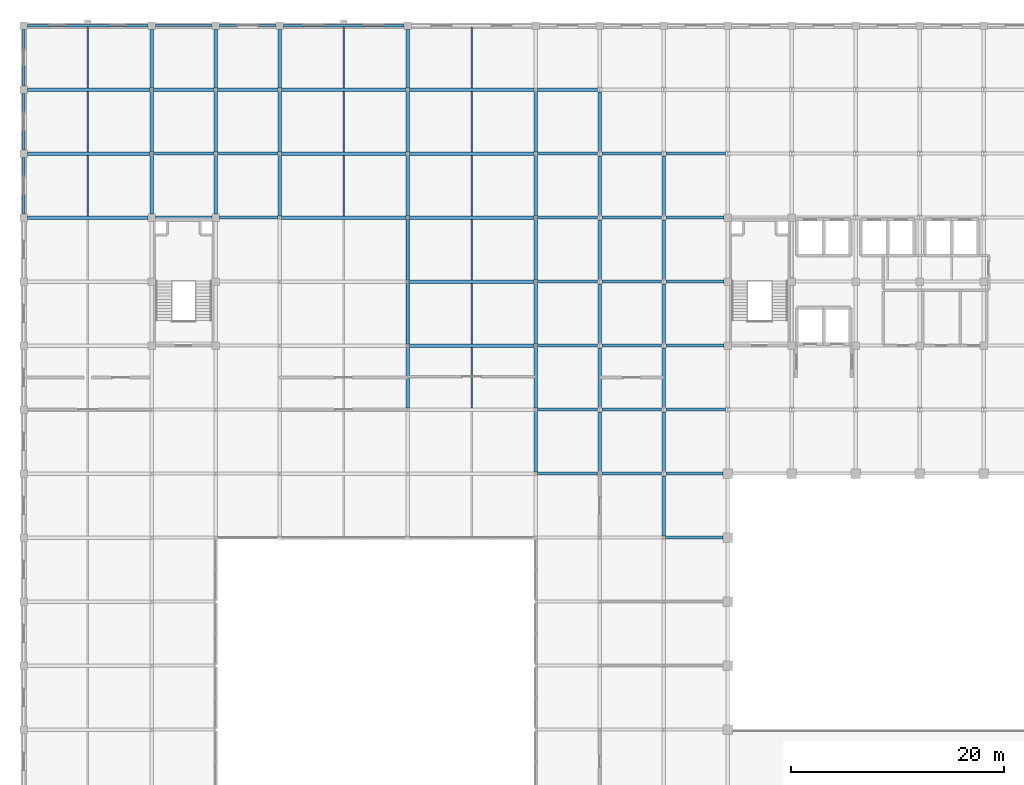
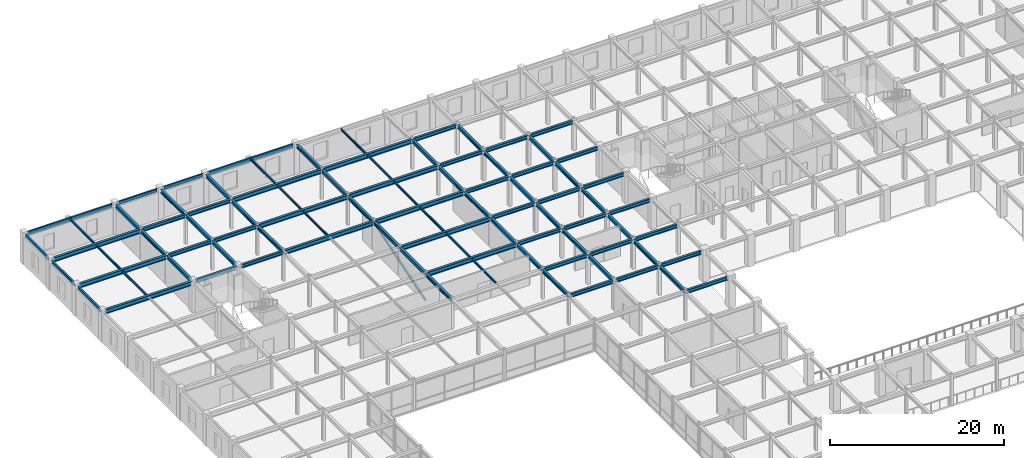
# One storey, part 74 of 108: 89 beams, 1 member.
"""IFC4 building model written with IfcOpenShell, lengths in metres."""

from ifc_helpers import new_model, si_unit, direction, frame, origin, origin_2d, place, context, subcontext, project, spatial, hollow_rectangle, i_section, extrude, material, material_profile, profile_set, type_object, element, save


model = new_model("IFC4")

# Units and contexts
model_context = context("Model", 3, precision=1e-05, world=origin(), true_north=direction((0.0, 1.0)))
body_context = subcontext(model_context, "Body", "Model", "MODEL_VIEW")
ifc_project = project(units=[si_unit("LENGTHUNIT", "METRE"), si_unit("AREAUNIT", "SQUARE_METRE"), si_unit("VOLUMEUNIT", "CUBIC_METRE"), si_unit("PLANEANGLEUNIT", "RADIAN"), si_unit("MASSUNIT", "GRAM", prefix="KILO")], contexts=[model_context])

# Site, building, storey
site_placement = place(None, origin())
site = spatial("IfcSite", under=ifc_project, at=site_placement, CompositionType="ELEMENT")
building_placement = place(site_placement, origin())
building = spatial("IfcBuilding", under=site, at=building_placement, Name="Zlatovratsky Civic Hall", CompositionType="ELEMENT")
storey_placement = place(building_placement, frame((0.0, 0.0, 12.0)))
storey = spatial("IfcBuildingStorey", under=building, at=storey_placement, Name="L03", CompositionType="ELEMENT", Elevation=12.0)

# Beams
ifc_material = material(Name="Steel S355", Category="steel")
ifc_material_profile_1 = material_profile(ifc_material, i_section(OverallWidth=0.300048828125, OverallDepth=0.48193359375, WebThickness=0.010986328125, FlangeThickness=0.014892578125, FilletRadius=0.02392578125, at=origin_2d()), Name="50Sh1")
ifc_profile_set_1 = profile_set([ifc_material_profile_1], Name="Steel S355")
beam_type_1 = type_object("IfcBeamType", Name="Beam_LibraryGirder_50Sh1", PredefinedType="BEAM", material=ifc_profile_set_1)
beam_1_placement = place(storey_placement, frame((60.1494140625, 66.0, 3.97900390625), z_axis=(1.0, 0.0, 0.0), x_axis=(0.0, 1.0, 0.0)))
element("IfcBeam", 1, at=beam_1_placement, inside=storey, type_object=beam_type_1, Name="BM-2612", PredefinedType="BEAM", context=body_context, shape_type="SweptSolid", body=[
    extrude(i_section(OverallWidth=0.300048828125, OverallDepth=0.48193359375, WebThickness=0.010986328125, FlangeThickness=0.014892578125, FilletRadius=0.02392578125, at=origin_2d()), origin(), (0.0, 0.0, 1.0), 5.400634765625),
])
beam_2_placement = place(storey_placement, frame((48.1494140625, 72.0, 3.97900390625), z_axis=(1.0, 0.0, 0.0), x_axis=(0.0, 1.0, 0.0)))
element("IfcBeam", 2, at=beam_2_placement, inside=storey, type_object=beam_type_1, Name="BM-2626", PredefinedType="BEAM", context=body_context, shape_type="SweptSolid", body=[
    extrude(i_section(OverallWidth=0.300048828125, OverallDepth=0.48193359375, WebThickness=0.010986328125, FlangeThickness=0.014892578125, FilletRadius=0.02392578125, at=origin_2d()), origin(), (0.0, 0.0, 1.0), 5.648193359375),
])
beam_3_placement = place(storey_placement, frame((54.202392578125, 72.0, 3.97900390625), z_axis=(1.0, 0.0, 0.0), x_axis=(0.0, 1.0, 0.0)))
element("IfcBeam", 3, at=beam_3_placement, inside=storey, type_object=beam_type_1, Name="BM-2627", PredefinedType="BEAM", context=body_context, shape_type="SweptSolid", body=[
    extrude(i_section(OverallWidth=0.300048828125, OverallDepth=0.48193359375, WebThickness=0.010986328125, FlangeThickness=0.014892578125, FilletRadius=0.02392578125, at=origin_2d()), origin(), (0.0, 0.0, 1.0), 5.59521484375),
])
beam_4_placement = place(storey_placement, frame((60.202392578125, 72.0, 3.97900390625), z_axis=(1.0, 0.0, 0.0), x_axis=(0.0, 1.0, 0.0)))
element("IfcBeam", 4, at=beam_4_placement, inside=storey, type_object=beam_type_1, Name="BM-2628", PredefinedType="BEAM", context=body_context, shape_type="SweptSolid", body=[
    extrude(i_section(OverallWidth=0.300048828125, OverallDepth=0.48193359375, WebThickness=0.010986328125, FlangeThickness=0.014892578125, FilletRadius=0.02392578125, at=origin_2d()), origin(), (0.0, 0.0, 1.0), 5.34765625),
])
beam_5_placement = place(storey_placement, frame((48.1494140625, 78.0, 3.97900390625), z_axis=(1.0, 0.0, 0.0), x_axis=(0.0, 1.0, 0.0)))
element("IfcBeam", 5, at=beam_5_placement, inside=storey, type_object=beam_type_1, Name="BM-2648", PredefinedType="BEAM", context=body_context, shape_type="SweptSolid", body=[
    extrude(i_section(OverallWidth=0.300048828125, OverallDepth=0.48193359375, WebThickness=0.010986328125, FlangeThickness=0.014892578125, FilletRadius=0.02392578125, at=origin_2d()), origin(), (0.0, 0.0, 1.0), 5.648193359375),
])
for number, where, z_axis, x_axis, name in (
    (6, (54.202392578125, 78.0, 3.97900390625), (1.0, 0.0, 0.0), (0.0, 1.0, 0.0), "BM-2649"),
    (7, (60.202392578125, 78.0, 3.97900390625), (1.0, 0.0, 0.0), (0.0, 1.0, 0.0), "BM-2650"),
):
    element("IfcBeam", number, at=place(storey_placement, frame(where, z_axis=z_axis, x_axis=x_axis)), inside=storey, type_object=beam_type_1, Name=name, PredefinedType="BEAM", context=body_context, shape_type="SweptSolid", body=[
        extrude(i_section(OverallWidth=0.300048828125, OverallDepth=0.48193359375, WebThickness=0.010986328125, FlangeThickness=0.014892578125, FilletRadius=0.02392578125, at=origin_2d()), origin(), (0.0, 0.0, 1.0), 5.59521484375),
    ])
beam_6_placement = place(storey_placement, frame((48.1494140625, 84.0, 3.97900390625), z_axis=(1.0, 0.0, 0.0), x_axis=(0.0, 1.0, 0.0)))
element("IfcBeam", 8, at=beam_6_placement, inside=storey, type_object=beam_type_1, Name="BM-2670", PredefinedType="BEAM", context=body_context, shape_type="SweptSolid", body=[
    extrude(i_section(OverallWidth=0.300048828125, OverallDepth=0.48193359375, WebThickness=0.010986328125, FlangeThickness=0.014892578125, FilletRadius=0.02392578125, at=origin_2d()), origin(), (0.0, 0.0, 1.0), 5.648193359375),
])
beam_7_placement = place(storey_placement, frame((54.202392578125, 84.0, 3.97900390625), z_axis=(1.0, 0.0, 0.0), x_axis=(0.0, 1.0, 0.0)))
element("IfcBeam", 9, at=beam_7_placement, inside=storey, type_object=beam_type_1, Name="BM-2671", PredefinedType="BEAM", context=body_context, shape_type="SweptSolid", body=[
    extrude(i_section(OverallWidth=0.300048828125, OverallDepth=0.48193359375, WebThickness=0.010986328125, FlangeThickness=0.014892578125, FilletRadius=0.02392578125, at=origin_2d()), origin(), (0.0, 0.0, 1.0), 5.59521484375),
])
beam_8_placement = place(storey_placement, frame((60.202392578125, 84.0, 3.97900390625), z_axis=(1.0, 0.0, 0.0), x_axis=(0.0, 1.0, 0.0)))
element("IfcBeam", 10, at=beam_8_placement, inside=storey, type_object=beam_type_1, Name="BM-2672", PredefinedType="BEAM", context=body_context, shape_type="SweptSolid", body=[
    extrude(i_section(OverallWidth=0.300048828125, OverallDepth=0.48193359375, WebThickness=0.010986328125, FlangeThickness=0.014892578125, FilletRadius=0.02392578125, at=origin_2d()), origin(), (0.0, 0.0, 1.0), 5.447509765625),
])
beam_9_placement = place(storey_placement, frame((48.1494140625, 90.0, 3.97900390625), z_axis=(1.0, 0.0, 0.0), x_axis=(0.0, 1.0, 0.0)))
element("IfcBeam", 11, at=beam_9_placement, inside=storey, type_object=beam_type_1, Name="BM-2691", PredefinedType="BEAM", context=body_context, shape_type="SweptSolid", body=[
    extrude(i_section(OverallWidth=0.300048828125, OverallDepth=0.48193359375, WebThickness=0.010986328125, FlangeThickness=0.014892578125, FilletRadius=0.02392578125, at=origin_2d()), origin(), (0.0, 0.0, 1.0), 5.648193359375),
])
beam_10_placement = place(storey_placement, frame((54.202392578125, 90.0, 3.97900390625), z_axis=(1.0, 0.0, 0.0), x_axis=(0.0, 1.0, 0.0)))
element("IfcBeam", 12, at=beam_10_placement, inside=storey, type_object=beam_type_1, Name="BM-2692", PredefinedType="BEAM", context=body_context, shape_type="SweptSolid", body=[
    extrude(i_section(OverallWidth=0.300048828125, OverallDepth=0.48193359375, WebThickness=0.010986328125, FlangeThickness=0.014892578125, FilletRadius=0.02392578125, at=origin_2d()), origin(), (0.0, 0.0, 1.0), 5.59521484375),
])
beam_11_placement = place(storey_placement, frame((60.202392578125, 90.0, 3.97900390625), z_axis=(1.0, 0.0, 0.0), x_axis=(0.0, 1.0, 0.0)))
element("IfcBeam", 13, at=beam_11_placement, inside=storey, type_object=beam_type_1, Name="BM-2693", PredefinedType="BEAM", context=body_context, shape_type="SweptSolid", body=[
    extrude(i_section(OverallWidth=0.300048828125, OverallDepth=0.48193359375, WebThickness=0.010986328125, FlangeThickness=0.014892578125, FilletRadius=0.02392578125, at=origin_2d()), origin(), (0.0, 0.0, 1.0), 5.447509765625),
])
beam_12_placement = place(storey_placement, frame((12.35009765625, 96.0, 3.97900390625), z_axis=(1.0, 0.0, 0.0), x_axis=(0.0, 1.0, 0.0)))
element("IfcBeam", 14, at=beam_12_placement, inside=storey, type_object=beam_type_1, Name="BM-2706", PredefinedType="BEAM", context=body_context, shape_type="SweptSolid", body=[
    extrude(i_section(OverallWidth=0.300048828125, OverallDepth=0.48193359375, WebThickness=0.010986328125, FlangeThickness=0.014892578125, FilletRadius=0.02392578125, at=origin_2d()), origin(), (0.0, 0.0, 1.0), 5.2998046875),
])
beam_13_placement = place(storey_placement, frame((18.35009765625, 96.0, 3.97900390625), z_axis=(1.0, 0.0, 0.0), x_axis=(0.0, 1.0, 0.0)))
element("IfcBeam", 15, at=beam_13_placement, inside=storey, type_object=beam_type_1, Name="BM-2707", PredefinedType="BEAM", context=body_context, shape_type="SweptSolid", body=[
    extrude(i_section(OverallWidth=0.300048828125, OverallDepth=0.48193359375, WebThickness=0.010986328125, FlangeThickness=0.014892578125, FilletRadius=0.02392578125, at=origin_2d()), origin(), (0.0, 0.0, 1.0), 5.50048828125),
])
beam_14_placement = place(storey_placement, frame((48.1494140625, 96.0, 3.97900390625), z_axis=(1.0, 0.0, 0.0), x_axis=(0.0, 1.0, 0.0)))
element("IfcBeam", 16, at=beam_14_placement, inside=storey, type_object=beam_type_1, Name="BM-2710", PredefinedType="BEAM", context=body_context, shape_type="SweptSolid", body=[
    extrude(i_section(OverallWidth=0.300048828125, OverallDepth=0.48193359375, WebThickness=0.010986328125, FlangeThickness=0.014892578125, FilletRadius=0.02392578125, at=origin_2d()), origin(), (0.0, 0.0, 1.0), 5.648193359375),
])
beam_15_placement = place(storey_placement, frame((54.202392578125, 96.0, 3.97900390625), z_axis=(1.0, 0.0, 0.0), x_axis=(0.0, 1.0, 0.0)))
element("IfcBeam", 17, at=beam_15_placement, inside=storey, type_object=beam_type_1, Name="BM-2711", PredefinedType="BEAM", context=body_context, shape_type="SweptSolid", body=[
    extrude(i_section(OverallWidth=0.300048828125, OverallDepth=0.48193359375, WebThickness=0.010986328125, FlangeThickness=0.014892578125, FilletRadius=0.02392578125, at=origin_2d()), origin(), (0.0, 0.0, 1.0), 5.59521484375),
])
beam_16_placement = place(storey_placement, frame((60.202392578125, 96.0, 3.97900390625), z_axis=(1.0, 0.0, 0.0), x_axis=(0.0, 1.0, 0.0)))
element("IfcBeam", 18, at=beam_16_placement, inside=storey, type_object=beam_type_1, Name="BM-2712", PredefinedType="BEAM", context=body_context, shape_type="SweptSolid", body=[
    extrude(i_section(OverallWidth=0.300048828125, OverallDepth=0.48193359375, WebThickness=0.010986328125, FlangeThickness=0.014892578125, FilletRadius=0.02392578125, at=origin_2d()), origin(), (0.0, 0.0, 1.0), 5.447509765625),
])
for number, where, z_axis, x_axis, name in (
    (19, (12.1494140625, 102.0, 3.97900390625), (1.0, 0.0, 0.0), (0.0, 1.0, 0.0), "BM-2728"),
    (20, (18.1494140625, 102.0, 3.97900390625), (1.0, 0.0, 0.0), (0.0, 1.0, 0.0), "BM-2729"),
):
    element("IfcBeam", number, at=place(storey_placement, frame(where, z_axis=z_axis, x_axis=x_axis)), inside=storey, type_object=beam_type_1, Name=name, PredefinedType="BEAM", context=body_context, shape_type="SweptSolid", body=[
        extrude(i_section(OverallWidth=0.300048828125, OverallDepth=0.48193359375, WebThickness=0.010986328125, FlangeThickness=0.014892578125, FilletRadius=0.02392578125, at=origin_2d()), origin(), (0.0, 0.0, 1.0), 5.701171875),
    ])
beam_17_placement = place(storey_placement, frame((48.1494140625, 102.0, 3.97900390625), z_axis=(1.0, 0.0, 0.0), x_axis=(0.0, 1.0, 0.0)))
element("IfcBeam", 21, at=beam_17_placement, inside=storey, type_object=beam_type_1, Name="BM-2732", PredefinedType="BEAM", context=body_context, shape_type="SweptSolid", body=[
    extrude(i_section(OverallWidth=0.300048828125, OverallDepth=0.48193359375, WebThickness=0.010986328125, FlangeThickness=0.014892578125, FilletRadius=0.02392578125, at=origin_2d()), origin(), (0.0, 0.0, 1.0), 5.648193359375),
])
for number, where, z_axis, x_axis, name in (
    (22, (54.202392578125, 102.0, 3.97900390625), (1.0, 0.0, 0.0), (0.0, 1.0, 0.0), "BM-2733"),
    (23, (60.202392578125, 102.0, 3.97900390625), (1.0, 0.0, 0.0), (0.0, 1.0, 0.0), "BM-2734"),
):
    element("IfcBeam", number, at=place(storey_placement, frame(where, z_axis=z_axis, x_axis=x_axis)), inside=storey, type_object=beam_type_1, Name=name, PredefinedType="BEAM", context=body_context, shape_type="SweptSolid", body=[
        extrude(i_section(OverallWidth=0.300048828125, OverallDepth=0.48193359375, WebThickness=0.010986328125, FlangeThickness=0.014892578125, FilletRadius=0.02392578125, at=origin_2d()), origin(), (0.0, 0.0, 1.0), 5.59521484375),
    ])
for number, where, z_axis, x_axis, name in (
    (24, (12.1494140625, 108.0, 3.97900390625), (1.0, 0.0, 0.0), (0.0, 1.0, 0.0), "BM-2750"),
    (25, (18.1494140625, 108.0, 3.97900390625), (1.0, 0.0, 0.0), (0.0, 1.0, 0.0), "BM-2751"),
):
    element("IfcBeam", number, at=place(storey_placement, frame(where, z_axis=z_axis, x_axis=x_axis)), inside=storey, type_object=beam_type_1, Name=name, PredefinedType="BEAM", context=body_context, shape_type="SweptSolid", body=[
        extrude(i_section(OverallWidth=0.300048828125, OverallDepth=0.48193359375, WebThickness=0.010986328125, FlangeThickness=0.014892578125, FilletRadius=0.02392578125, at=origin_2d()), origin(), (0.0, 0.0, 1.0), 5.701171875),
    ])
beam_18_placement = place(storey_placement, frame((48.1494140625, 108.0, 3.97900390625), z_axis=(1.0, 0.0, 0.0), x_axis=(0.0, 1.0, 0.0)))
element("IfcBeam", 26, at=beam_18_placement, inside=storey, type_object=beam_type_1, Name="BM-2754", PredefinedType="BEAM", context=body_context, shape_type="SweptSolid", body=[
    extrude(i_section(OverallWidth=0.300048828125, OverallDepth=0.48193359375, WebThickness=0.010986328125, FlangeThickness=0.014892578125, FilletRadius=0.02392578125, at=origin_2d()), origin(), (0.0, 0.0, 1.0), 5.648193359375),
])
beam_19_placement = place(storey_placement, frame((12.0, 96.35009765625, 3.97900390625), z_axis=(0.0, 1.0, 0.0), x_axis=(-1.0, 0.0, 0.0)))
element("IfcBeam", 27, at=beam_19_placement, inside=storey, type_object=beam_type_1, Name="BM-2824", PredefinedType="BEAM", context=body_context, shape_type="SweptSolid", body=[
    extrude(i_section(OverallWidth=0.300048828125, OverallDepth=0.48193359375, WebThickness=0.010986328125, FlangeThickness=0.014892578125, FilletRadius=0.02392578125, at=origin_2d()), origin(), (0.0, 0.0, 1.0), 5.501953125),
])
beam_20_placement = place(storey_placement, frame((12.0, 102.14794921875, 3.97900390625), z_axis=(0.0, 1.0, 0.0), x_axis=(-1.0, 0.0, 0.0)))
element("IfcBeam", 28, at=beam_20_placement, inside=storey, type_object=beam_type_1, Name="BM-2825", PredefinedType="BEAM", context=body_context, shape_type="SweptSolid", body=[
    extrude(i_section(OverallWidth=0.300048828125, OverallDepth=0.48193359375, WebThickness=0.010986328125, FlangeThickness=0.014892578125, FilletRadius=0.02392578125, at=origin_2d()), origin(), (0.0, 0.0, 1.0), 5.7041015625),
])
for number, where, z_axis, x_axis, name in (
    (29, (12.0, 108.14794921875, 3.97900390625), (0.0, 1.0, 0.0), (-1.0, 0.0, 0.0), "BM-2826"),
    (30, (18.0, 96.35009765625, 3.97900390625), (0.0, 1.0, 0.0), (-1.0, 0.0, 0.0), "BM-2841"),
):
    element("IfcBeam", number, at=place(storey_placement, frame(where, z_axis=z_axis, x_axis=x_axis)), inside=storey, type_object=beam_type_1, Name=name, PredefinedType="BEAM", context=body_context, shape_type="SweptSolid", body=[
        extrude(i_section(OverallWidth=0.300048828125, OverallDepth=0.48193359375, WebThickness=0.010986328125, FlangeThickness=0.014892578125, FilletRadius=0.02392578125, at=origin_2d()), origin(), (0.0, 0.0, 1.0), 5.501953125),
    ])
beam_21_placement = place(storey_placement, frame((18.0, 102.14794921875, 3.97900390625), z_axis=(0.0, 1.0, 0.0), x_axis=(-1.0, 0.0, 0.0)))
element("IfcBeam", 31, at=beam_21_placement, inside=storey, type_object=beam_type_1, Name="BM-2842", PredefinedType="BEAM", context=body_context, shape_type="SweptSolid", body=[
    extrude(i_section(OverallWidth=0.300048828125, OverallDepth=0.48193359375, WebThickness=0.010986328125, FlangeThickness=0.014892578125, FilletRadius=0.02392578125, at=origin_2d()), origin(), (0.0, 0.0, 1.0), 5.7041015625),
])
beam_22_placement = place(storey_placement, frame((18.0, 108.14794921875, 3.97900390625), z_axis=(0.0, 1.0, 0.0), x_axis=(-1.0, 0.0, 0.0)))
element("IfcBeam", 32, at=beam_22_placement, inside=storey, type_object=beam_type_1, Name="BM-2843", PredefinedType="BEAM", context=body_context, shape_type="SweptSolid", body=[
    extrude(i_section(OverallWidth=0.300048828125, OverallDepth=0.48193359375, WebThickness=0.010986328125, FlangeThickness=0.014892578125, FilletRadius=0.02392578125, at=origin_2d()), origin(), (0.0, 0.0, 1.0), 5.501953125),
])
for number, where, z_axis, x_axis, name in (
    (33, (24.0, 96.14794921875, 3.97900390625), (0.0, 1.0, 0.0), (-1.0, 0.0, 0.0), "BM-2852"),
    (34, (24.0, 102.14794921875, 3.97900390625), (0.0, 1.0, 0.0), (-1.0, 0.0, 0.0), "BM-2853"),
):
    element("IfcBeam", number, at=place(storey_placement, frame(where, z_axis=z_axis, x_axis=x_axis)), inside=storey, type_object=beam_type_1, Name=name, PredefinedType="BEAM", context=body_context, shape_type="SweptSolid", body=[
        extrude(i_section(OverallWidth=0.300048828125, OverallDepth=0.48193359375, WebThickness=0.010986328125, FlangeThickness=0.014892578125, FilletRadius=0.02392578125, at=origin_2d()), origin(), (0.0, 0.0, 1.0), 5.7041015625),
    ])
beam_23_placement = place(storey_placement, frame((24.0, 108.14794921875, 3.97900390625), z_axis=(0.0, 1.0, 0.0), x_axis=(-1.0, 0.0, 0.0)))
element("IfcBeam", 35, at=beam_23_placement, inside=storey, type_object=beam_type_1, Name="BM-2854", PredefinedType="BEAM", context=body_context, shape_type="SweptSolid", body=[
    extrude(i_section(OverallWidth=0.300048828125, OverallDepth=0.48193359375, WebThickness=0.010986328125, FlangeThickness=0.014892578125, FilletRadius=0.02392578125, at=origin_2d()), origin(), (0.0, 0.0, 1.0), 5.501953125),
])
for number, where, z_axis, x_axis, name in (
    (36, (36.0, 78.14794921875, 3.97900390625), (0.0, 1.0, 0.0), (-1.0, 0.0, 0.0), "BM-2860"),
    (37, (36.0, 84.14794921875, 3.97900390625), (0.0, 1.0, 0.0), (-1.0, 0.0, 0.0), "BM-2861"),
    (38, (36.0, 90.14794921875, 3.97900390625), (0.0, 1.0, 0.0), (-1.0, 0.0, 0.0), "BM-2862"),
    (39, (36.0, 96.14794921875, 3.97900390625), (0.0, 1.0, 0.0), (-1.0, 0.0, 0.0), "BM-2863"),
    (40, (36.0, 102.14794921875, 3.97900390625), (0.0, 1.0, 0.0), (-1.0, 0.0, 0.0), "BM-2864"),
):
    element("IfcBeam", number, at=place(storey_placement, frame(where, z_axis=z_axis, x_axis=x_axis)), inside=storey, type_object=beam_type_1, Name=name, PredefinedType="BEAM", context=body_context, shape_type="SweptSolid", body=[
        extrude(i_section(OverallWidth=0.300048828125, OverallDepth=0.48193359375, WebThickness=0.010986328125, FlangeThickness=0.014892578125, FilletRadius=0.02392578125, at=origin_2d()), origin(), (0.0, 0.0, 1.0), 5.7041015625),
    ])
beam_24_placement = place(storey_placement, frame((36.0, 108.14794921875, 3.97900390625), z_axis=(0.0, 1.0, 0.0), x_axis=(-1.0, 0.0, 0.0)))
element("IfcBeam", 41, at=beam_24_placement, inside=storey, type_object=beam_type_1, Name="BM-2865", PredefinedType="BEAM", context=body_context, shape_type="SweptSolid", body=[
    extrude(i_section(OverallWidth=0.300048828125, OverallDepth=0.48193359375, WebThickness=0.010986328125, FlangeThickness=0.014892578125, FilletRadius=0.02392578125, at=origin_2d()), origin(), (0.0, 0.0, 1.0), 5.501953125),
])
for number, where, z_axis, x_axis, name in (
    (42, (48.0, 72.14794921875, 3.97900390625), (0.0, 1.0, 0.0), (-1.0, 0.0, 0.0), "BM-2876"),
    (43, (48.0, 78.14794921875, 3.97900390625), (0.0, 1.0, 0.0), (-1.0, 0.0, 0.0), "BM-2877"),
    (44, (48.0, 84.14794921875, 3.97900390625), (0.0, 1.0, 0.0), (-1.0, 0.0, 0.0), "BM-2878"),
    (45, (48.0, 90.14794921875, 3.97900390625), (0.0, 1.0, 0.0), (-1.0, 0.0, 0.0), "BM-2879"),
    (46, (48.0, 96.14794921875, 3.97900390625), (0.0, 1.0, 0.0), (-1.0, 0.0, 0.0), "BM-2880"),
    (47, (48.0, 102.14794921875, 3.97900390625), (0.0, 1.0, 0.0), (-1.0, 0.0, 0.0), "BM-2881"),
):
    element("IfcBeam", number, at=place(storey_placement, frame(where, z_axis=z_axis, x_axis=x_axis)), inside=storey, type_object=beam_type_1, Name=name, PredefinedType="BEAM", context=body_context, shape_type="SweptSolid", body=[
        extrude(i_section(OverallWidth=0.300048828125, OverallDepth=0.48193359375, WebThickness=0.010986328125, FlangeThickness=0.014892578125, FilletRadius=0.02392578125, at=origin_2d()), origin(), (0.0, 0.0, 1.0), 5.7041015625),
    ])
for number, where, z_axis, x_axis, name in (
    (48, (54.0, 72.208984375, 3.97900390625), (0.0, 1.0, 0.0), (-1.0, 0.0, 0.0), "BM-2893"),
    (49, (54.0, 78.208984375, 3.97900390625), (0.0, 1.0, 0.0), (-1.0, 0.0, 0.0), "BM-2894"),
    (50, (54.0, 84.208984375, 3.97900390625), (0.0, 1.0, 0.0), (-1.0, 0.0, 0.0), "BM-2895"),
    (51, (54.0, 90.208984375, 3.97900390625), (0.0, 1.0, 0.0), (-1.0, 0.0, 0.0), "BM-2896"),
    (52, (54.0, 96.208984375, 3.97900390625), (0.0, 1.0, 0.0), (-1.0, 0.0, 0.0), "BM-2897"),
    (53, (54.0, 102.208984375, 3.97900390625), (0.0, 1.0, 0.0), (-1.0, 0.0, 0.0), "BM-2898"),
):
    element("IfcBeam", number, at=place(storey_placement, frame(where, z_axis=z_axis, x_axis=x_axis)), inside=storey, type_object=beam_type_1, Name=name, PredefinedType="BEAM", context=body_context, shape_type="SweptSolid", body=[
        extrude(i_section(OverallWidth=0.300048828125, OverallDepth=0.48193359375, WebThickness=0.010986328125, FlangeThickness=0.014892578125, FilletRadius=0.02392578125, at=origin_2d()), origin(), (0.0, 0.0, 1.0), 5.58203125),
    ])
beam_25_placement = place(storey_placement, frame((60.0, 66.14794921875, 3.97900390625), z_axis=(0.0, 1.0, 0.0), x_axis=(-1.0, 0.0, 0.0)))
element("IfcBeam", 54, at=beam_25_placement, inside=storey, type_object=beam_type_1, Name="BM-2908", PredefinedType="BEAM", context=body_context, shape_type="SweptSolid", body=[
    extrude(i_section(OverallWidth=0.300048828125, OverallDepth=0.48193359375, WebThickness=0.010986328125, FlangeThickness=0.014892578125, FilletRadius=0.02392578125, at=origin_2d()), origin(), (0.0, 0.0, 1.0), 5.64306640625),
])
for number, where, z_axis, x_axis, name in (
    (55, (60.0, 72.208984375, 3.97900390625), (0.0, 1.0, 0.0), (-1.0, 0.0, 0.0), "BM-2909"),
    (56, (60.0, 78.208984375, 3.97900390625), (0.0, 1.0, 0.0), (-1.0, 0.0, 0.0), "BM-2910"),
    (57, (60.0, 84.208984375, 3.97900390625), (0.0, 1.0, 0.0), (-1.0, 0.0, 0.0), "BM-2911"),
    (58, (60.0, 90.208984375, 3.97900390625), (0.0, 1.0, 0.0), (-1.0, 0.0, 0.0), "BM-2912"),
    (59, (60.0, 96.208984375, 3.97900390625), (0.0, 1.0, 0.0), (-1.0, 0.0, 0.0), "BM-2913"),
):
    element("IfcBeam", number, at=place(storey_placement, frame(where, z_axis=z_axis, x_axis=x_axis)), inside=storey, type_object=beam_type_1, Name=name, PredefinedType="BEAM", context=body_context, shape_type="SweptSolid", body=[
        extrude(i_section(OverallWidth=0.300048828125, OverallDepth=0.48193359375, WebThickness=0.010986328125, FlangeThickness=0.014892578125, FilletRadius=0.02392578125, at=origin_2d()), origin(), (0.0, 0.0, 1.0), 5.58203125),
    ])
ifc_material_profile_2 = material_profile(ifc_material, i_section(OverallWidth=0.320068359375, OverallDepth=0.58203125, WebThickness=0.011962890625, FlangeThickness=0.01708984375, FilletRadius=0.02392578125, at=origin_2d()), Name="60Sh1")
ifc_profile_set_2 = profile_set([ifc_material_profile_2], Name="Steel S355")
beam_type_2 = type_object("IfcBeamType", Name="Beam_PodiumGirder_60Sh1", PredefinedType="BEAM", material=ifc_profile_set_2)
for number, where, z_axis, x_axis, name in (
    (60, (36.1494140625, 84.0, 3.928955078125), (1.0, 0.0, 0.0), (0.0, 1.0, 0.0), "BM-2669"),
    (61, (36.1494140625, 90.0, 3.928955078125), (1.0, 0.0, 0.0), (0.0, 1.0, 0.0), "BM-2690"),
):
    element("IfcBeam", number, at=place(storey_placement, frame(where, z_axis=z_axis, x_axis=x_axis)), inside=storey, type_object=beam_type_2, Name=name, PredefinedType="BEAM", context=body_context, shape_type="SweptSolid", body=[
        extrude(i_section(OverallWidth=0.320068359375, OverallDepth=0.58203125, WebThickness=0.011962890625, FlangeThickness=0.01708984375, FilletRadius=0.02392578125, at=origin_2d()), origin(), (0.0, 0.0, 1.0), 11.701171875),
    ])
beam_26_placement = place(storey_placement, frame((0.35009765625, 96.0, 3.928955078125), z_axis=(1.0, 0.0, 0.0), x_axis=(0.0, 1.0, 0.0)))
element("IfcBeam", 62, at=beam_26_placement, inside=storey, type_object=beam_type_2, Name="BM-2705", PredefinedType="BEAM", context=body_context, shape_type="SweptSolid", body=[
    extrude(i_section(OverallWidth=0.320068359375, OverallDepth=0.58203125, WebThickness=0.011962890625, FlangeThickness=0.01708984375, FilletRadius=0.02392578125, at=origin_2d()), origin(), (0.0, 0.0, 1.0), 11.2998046875),
])
for number, where, z_axis, x_axis, name in (
    (63, (24.1494140625, 96.0, 3.928955078125), (1.0, 0.0, 0.0), (0.0, 1.0, 0.0), "BM-2708"),
    (64, (36.1494140625, 96.0, 3.928955078125), (1.0, 0.0, 0.0), (0.0, 1.0, 0.0), "BM-2709"),
):
    element("IfcBeam", number, at=place(storey_placement, frame(where, z_axis=z_axis, x_axis=x_axis)), inside=storey, type_object=beam_type_2, Name=name, PredefinedType="BEAM", context=body_context, shape_type="SweptSolid", body=[
        extrude(i_section(OverallWidth=0.320068359375, OverallDepth=0.58203125, WebThickness=0.011962890625, FlangeThickness=0.01708984375, FilletRadius=0.02392578125, at=origin_2d()), origin(), (0.0, 0.0, 1.0), 11.701171875),
    ])
beam_27_placement = place(storey_placement, frame((0.35009765625, 102.0, 3.928955078125), z_axis=(1.0, 0.0, 0.0), x_axis=(0.0, 1.0, 0.0)))
element("IfcBeam", 65, at=beam_27_placement, inside=storey, type_object=beam_type_2, Name="BM-2727", PredefinedType="BEAM", context=body_context, shape_type="SweptSolid", body=[
    extrude(i_section(OverallWidth=0.320068359375, OverallDepth=0.58203125, WebThickness=0.011962890625, FlangeThickness=0.01708984375, FilletRadius=0.02392578125, at=origin_2d()), origin(), (0.0, 0.0, 1.0), 11.50048828125),
])
for number, where, z_axis, x_axis, name in (
    (66, (24.1494140625, 102.0, 3.928955078125), (1.0, 0.0, 0.0), (0.0, 1.0, 0.0), "BM-2730"),
    (67, (36.1494140625, 102.0, 3.928955078125), (1.0, 0.0, 0.0), (0.0, 1.0, 0.0), "BM-2731"),
):
    element("IfcBeam", number, at=place(storey_placement, frame(where, z_axis=z_axis, x_axis=x_axis)), inside=storey, type_object=beam_type_2, Name=name, PredefinedType="BEAM", context=body_context, shape_type="SweptSolid", body=[
        extrude(i_section(OverallWidth=0.320068359375, OverallDepth=0.58203125, WebThickness=0.011962890625, FlangeThickness=0.01708984375, FilletRadius=0.02392578125, at=origin_2d()), origin(), (0.0, 0.0, 1.0), 11.701171875),
    ])
beam_28_placement = place(storey_placement, frame((0.35009765625, 108.0, 3.928955078125), z_axis=(1.0, 0.0, 0.0), x_axis=(0.0, 1.0, 0.0)))
element("IfcBeam", 68, at=beam_28_placement, inside=storey, type_object=beam_type_2, Name="BM-2749", PredefinedType="BEAM", context=body_context, shape_type="SweptSolid", body=[
    extrude(i_section(OverallWidth=0.320068359375, OverallDepth=0.58203125, WebThickness=0.011962890625, FlangeThickness=0.01708984375, FilletRadius=0.02392578125, at=origin_2d()), origin(), (0.0, 0.0, 1.0), 11.50048828125),
])
for number, where, z_axis, x_axis, name in (
    (69, (24.1494140625, 108.0, 3.928955078125), (1.0, 0.0, 0.0), (0.0, 1.0, 0.0), "BM-2752"),
    (70, (36.1494140625, 108.0, 3.928955078125), (1.0, 0.0, 0.0), (0.0, 1.0, 0.0), "BM-2753"),
):
    element("IfcBeam", number, at=place(storey_placement, frame(where, z_axis=z_axis, x_axis=x_axis)), inside=storey, type_object=beam_type_2, Name=name, PredefinedType="BEAM", context=body_context, shape_type="SweptSolid", body=[
        extrude(i_section(OverallWidth=0.320068359375, OverallDepth=0.58203125, WebThickness=0.011962890625, FlangeThickness=0.01708984375, FilletRadius=0.02392578125, at=origin_2d()), origin(), (0.0, 0.0, 1.0), 11.701171875),
    ])
ifc_material_profile_3 = material_profile(ifc_material, i_section(OverallWidth=0.198974609375, OverallDepth=0.491943359375, WebThickness=0.0087890625, FlangeThickness=0.011962890625, FilletRadius=0.01611328125, at=origin_2d()), Name="50B1")
ifc_profile_set_3 = profile_set([ifc_material_profile_3], Name="Steel S355")
beam_type_3 = type_object("IfcBeamType", Name="Beam_Spandrel_50B1", PredefinedType="SPANDREL", material=ifc_profile_set_3)
for number, where, z_axis, x_axis, name in (
    (71, (12.35009765625, 114.0, 3.97412109375), (1.0, 0.0, 0.0), (0.0, 1.0, 0.0), "BM-2772"),
    (72, (18.35009765625, 114.0, 3.97412109375), (1.0, 0.0, 0.0), (0.0, 1.0, 0.0), "BM-2773"),
    (73, (0.0, 96.35009765625, 3.97412109375), (0.0, 1.0, 0.0), (-1.0, 0.0, 0.0), "BM-2807"),
    (74, (0.0, 102.35009765625, 3.97412109375), (0.0, 1.0, 0.0), (-1.0, 0.0, 0.0), "BM-2808"),
    (75, (0.0, 108.35009765625, 3.97412109375), (0.0, 1.0, 0.0), (-1.0, 0.0, 0.0), "BM-2809"),
):
    element("IfcBeam", number, at=place(storey_placement, frame(where, z_axis=z_axis, x_axis=x_axis)), inside=storey, type_object=beam_type_3, Name=name, PredefinedType="SPANDREL", context=body_context, shape_type="SweptSolid", body=[
        extrude(i_section(OverallWidth=0.198974609375, OverallDepth=0.491943359375, WebThickness=0.0087890625, FlangeThickness=0.011962890625, FilletRadius=0.01611328125, at=origin_2d()), origin(), (0.0, 0.0, 1.0), 5.2998046875),
    ])
ifc_material_profile_4 = material_profile(ifc_material, i_section(OverallWidth=0.219970703125, OverallDepth=0.54296875, WebThickness=0.009521484375, FlangeThickness=0.013427734375, FilletRadius=0.01806640625, at=origin_2d()), Name="55B1")
ifc_profile_set_4 = profile_set([ifc_material_profile_4], Name="Steel S355")
beam_type_4 = type_object("IfcBeamType", Name="Beam_Spandrel_55B1", PredefinedType="SPANDREL", material=ifc_profile_set_4)
for number, where, z_axis, x_axis, name in (
    (76, (0.35009765625, 114.0, 3.948486328125), (1.0, 0.0, 0.0), (0.0, 1.0, 0.0), "BM-2771"),
    (77, (24.35009765625, 114.0, 3.948486328125), (1.0, 0.0, 0.0), (0.0, 1.0, 0.0), "BM-2774"),
):
    element("IfcBeam", number, at=place(storey_placement, frame(where, z_axis=z_axis, x_axis=x_axis)), inside=storey, type_object=beam_type_4, Name=name, PredefinedType="SPANDREL", context=body_context, shape_type="SweptSolid", body=[
        extrude(i_section(OverallWidth=0.219970703125, OverallDepth=0.54296875, WebThickness=0.009521484375, FlangeThickness=0.013427734375, FilletRadius=0.01806640625, at=origin_2d()), origin(), (0.0, 0.0, 1.0), 11.2998046875),
    ])

# Member
ifc_material_profile_5 = material_profile(ifc_material, hollow_rectangle(XDim=0.219970703125, YDim=0.219970703125, WallThickness=0.010009765625, at=origin_2d()), Name="SHS 220x220x10")
ifc_profile_set_5 = profile_set([ifc_material_profile_5], Name="Steel S355")
member_type = type_object("IfcMemberType", Name="Brace_Podium_SHS220", PredefinedType="BRACE", material=ifc_profile_set_5)
member_placement = place(storey_placement, frame((36.0, 84.14794921875, 0.25), z_axis=(0.0, 0.953490939985, 0.301421677002), x_axis=(-1.0, 0.0, 0.0)))
element("IfcMember", 78, at=member_placement, inside=storey, type_object=member_type, Name="MB-0114", PredefinedType="BRACE", context=body_context, shape_type="SweptSolid", body=[
    extrude(hollow_rectangle(XDim=0.219970703125, YDim=0.219970703125, WallThickness=0.010009765625, at=origin_2d()), origin(), (0.0, 0.0, 1.0), 12.27490234375),
])

# Beams
ifc_material_profile_6 = material_profile(ifc_material, i_section(OverallWidth=0.14892578125, OverallDepth=0.2958984375, WebThickness=0.005615234375, FlangeThickness=0.008056640625, FilletRadius=0.012939453125, at=origin_2d()), Name="30B1")
ifc_profile_set_6 = profile_set([ifc_material_profile_6], Name="Steel S355")
beam_type_5 = type_object("IfcBeamType", Name="Joist_Tower_30B1", PredefinedType="JOIST", material=ifc_profile_set_6)
for number, where, z_axis, x_axis, name in (
    (79, (42.0, 78.159912109375, 4.072021484375), (0.0, 1.0, 0.0), (-1.0, 0.0, 0.0), "BM-3164"),
    (80, (42.0, 84.159912109375, 4.072021484375), (0.0, 1.0, 0.0), (-1.0, 0.0, 0.0), "BM-3170"),
    (81, (42.0, 90.159912109375, 4.072021484375), (0.0, 1.0, 0.0), (-1.0, 0.0, 0.0), "BM-3176"),
    (82, (6.0, 96.159912109375, 4.072021484375), (0.0, 1.0, 0.0), (-1.0, 0.0, 0.0), "BM-3182"),
    (83, (30.0, 96.159912109375, 4.072021484375), (0.0, 1.0, 0.0), (-1.0, 0.0, 0.0), "BM-3183"),
    (84, (42.0, 96.159912109375, 4.072021484375), (0.0, 1.0, 0.0), (-1.0, 0.0, 0.0), "BM-3184"),
    (85, (6.0, 102.159912109375, 4.072021484375), (0.0, 1.0, 0.0), (-1.0, 0.0, 0.0), "BM-3188"),
    (86, (30.0, 102.159912109375, 4.072021484375), (0.0, 1.0, 0.0), (-1.0, 0.0, 0.0), "BM-3189"),
    (87, (42.0, 102.159912109375, 4.072021484375), (0.0, 1.0, 0.0), (-1.0, 0.0, 0.0), "BM-3190"),
):
    element("IfcBeam", number, at=place(storey_placement, frame(where, z_axis=z_axis, x_axis=x_axis)), inside=storey, type_object=beam_type_5, Name=name, PredefinedType="JOIST", context=body_context, shape_type="SweptSolid", body=[
        extrude(i_section(OverallWidth=0.14892578125, OverallDepth=0.2958984375, WebThickness=0.005615234375, FlangeThickness=0.008056640625, FilletRadius=0.012939453125, at=origin_2d()), origin(), (0.0, 0.0, 1.0), 5.68017578125),
    ])
for number, where, z_axis, x_axis, name in (
    (88, (6.0, 108.159912109375, 4.072021484375), (0.0, 1.0, 0.0), (-1.0, 0.0, 0.0), "BM-3194"),
    (89, (30.0, 108.159912109375, 4.072021484375), (0.0, 1.0, 0.0), (-1.0, 0.0, 0.0), "BM-3195"),
    (90, (42.0, 108.159912109375, 4.072021484375), (0.0, 1.0, 0.0), (-1.0, 0.0, 0.0), "BM-3196"),
):
    element("IfcBeam", number, at=place(storey_placement, frame(where, z_axis=z_axis, x_axis=x_axis)), inside=storey, type_object=beam_type_5, Name=name, PredefinedType="JOIST", context=body_context, shape_type="SweptSolid", body=[
        extrude(i_section(OverallWidth=0.14892578125, OverallDepth=0.2958984375, WebThickness=0.005615234375, FlangeThickness=0.008056640625, FilletRadius=0.012939453125, at=origin_2d()), origin(), (0.0, 0.0, 1.0), 5.72998046875),
    ])

save(model, "model.ifc")
